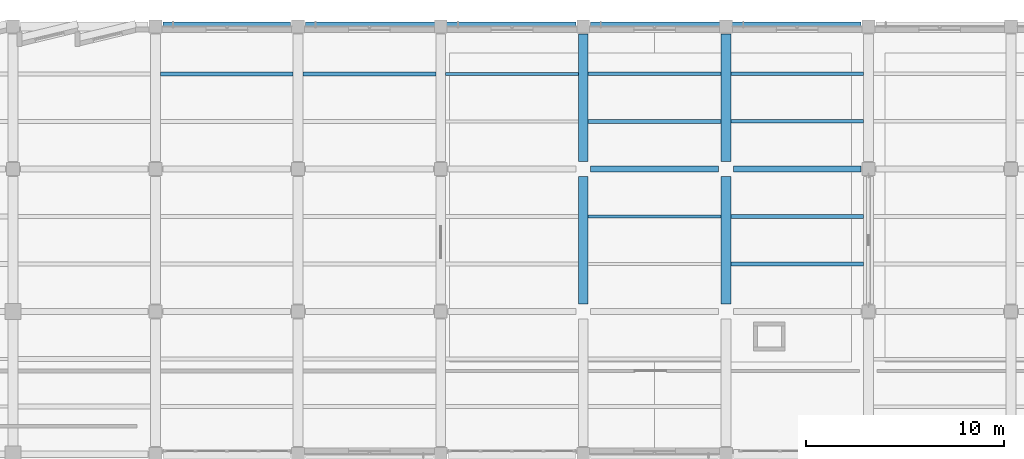
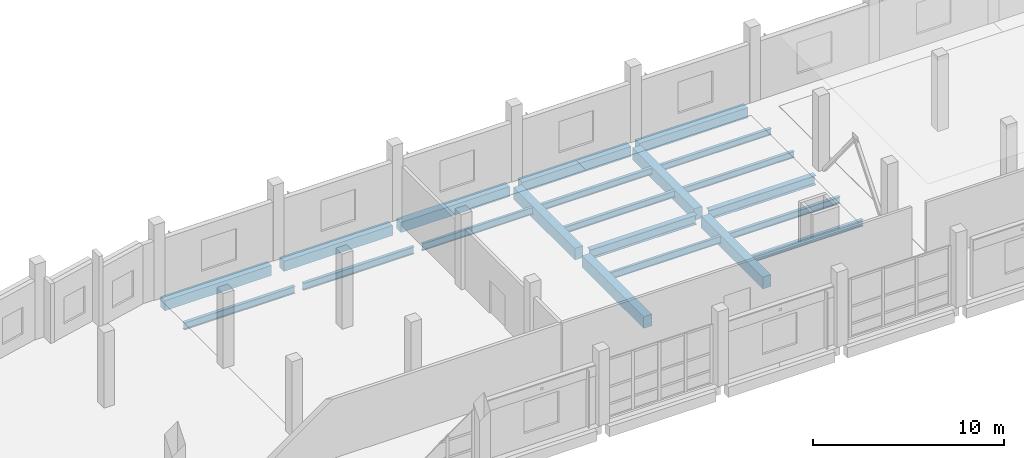
# One storey, part 52 of 127: 21 beams.
"""IFC4 building model written with IfcOpenShell, lengths in metres."""

import ifcopenshell
import ifcopenshell.guid

model = None  # the IFC model being written
_history = None  # IfcOwnerHistory: only IFC2X3 demands one
_inside = {}  # id of a spatial element -> (the spatial element, [elements in it])
_under = {}  # id of a project, library or spatial element -> (it, [spatial elements below it])
_declared = {}  # id of a project -> (the project, [libraries it declares])
_typed = {}  # id of a type object -> (the type object, [elements of that type])
_made_of = {}  # id of a material, layer set ... -> (it, [elements and type objects made of it])


def new_model(schema):
    """Start an empty IFC model of exactly this schema.

    Asked for "IFC4X3", IfcOpenShell would pick the latest addendum, in which some entities
    have other attributes; the version numbers below select the first issue.
    IFC2X3 requires an IfcOwnerHistory on every rooted entity: one is made here for all.
    """
    global model, _history
    if schema == "IFC4X3":
        model = ifcopenshell.file(schema_version=(4, 3, 0, 0))
    else:
        model = ifcopenshell.file(schema=schema)
    _inside.clear()
    _under.clear()
    _declared.clear()
    _typed.clear()
    _made_of.clear()
    _history = None
    if model.schema == "IFC2X3":
        org = make("IfcOrganization", Name="unknown")
        user = make(
            "IfcPersonAndOrganization",
            ThePerson=make("IfcPerson", FamilyName="unknown"),
            TheOrganization=org,
        )
        app = make(
            "IfcApplication",
            ApplicationDeveloper=org,
            Version="unknown",
            ApplicationFullName="unknown",
            ApplicationIdentifier="unknown",
        )
        _history = make(
            "IfcOwnerHistory",
            OwningUser=user,
            OwningApplication=app,
            ChangeAction="ADDED",
            CreationDate=0,
        )
    return model


def make(cls, **values):
    """One entity of the class cls with the attributes given. An attribute that is None is left unset."""
    return model.create_entity(
        cls, **{name: value for name, value in values.items() if value is not None}
    )


def rooted(cls, **values):
    """An entity with a GlobalId (a new one), such as an element, a storey or a relation."""
    return make(cls, GlobalId=ifcopenshell.guid.new(), OwnerHistory=_history, **values)


def si_unit(unit_type, name, prefix=None):
    """IfcSIUnit, for example si_unit("LENGTHUNIT", "METRE", prefix="MILLI")."""
    return make("IfcSIUnit", UnitType=unit_type, Prefix=prefix, Name=name)


def assignment(units):
    """IfcUnitAssignment: the units of a project."""
    return None if units is None else make("IfcUnitAssignment", Units=units)


def point(xyz):
    """IfcCartesianPoint."""
    return None if xyz is None else make("IfcCartesianPoint", Coordinates=xyz)


def direction(xyz):
    """IfcDirection."""
    return None if xyz is None else make("IfcDirection", DirectionRatios=xyz)


def frame(location, z_axis=None, x_axis=None):
    """IfcAxis2Placement3D, a coordinate frame: its origin and axes. An axis left out is left unset."""
    return make(
        "IfcAxis2Placement3D",
        Location=point(location),
        Axis=direction(z_axis),
        RefDirection=direction(x_axis),
    )


def frame_2d(location, x_axis=None):
    """IfcAxis2Placement2D, a coordinate frame in the plane: its origin and x axis."""
    return make(
        "IfcAxis2Placement2D", Location=point(location), RefDirection=direction(x_axis)
    )


def origin():
    """The frame at (0, 0, 0) with its axes left unset."""
    return frame((0.0, 0.0, 0.0))


def origin_2d():
    """The frame at (0, 0) in the plane with its x axis left unset."""
    return frame_2d((0.0, 0.0))


def place(relative_to, where):
    """IfcLocalPlacement: puts the frame where relative to a parent placement (None: the world)."""
    return make(
        "IfcLocalPlacement", PlacementRelTo=relative_to, RelativePlacement=where
    )


def context(
    kind, dimensions, precision=None, world=None, true_north=None, identifier=None
):
    """IfcGeometricRepresentationContext, for example the 3D "Model" context."""
    return make(
        "IfcGeometricRepresentationContext",
        ContextIdentifier=identifier,
        ContextType=kind,
        CoordinateSpaceDimension=dimensions,
        Precision=precision,
        WorldCoordinateSystem=world,
        TrueNorth=true_north,
    )


def subcontext(parent, identifier, kind, view, scale=None):
    """IfcGeometricRepresentationSubContext, for example "Body" below "Model"."""
    return make(
        "IfcGeometricRepresentationSubContext",
        ContextIdentifier=identifier,
        ContextType=kind,
        ParentContext=parent,
        TargetScale=scale,
        TargetView=view,
    )


def project(units=None, contexts=None):
    """IfcProject with its units and contexts."""
    return rooted(
        "IfcProject",
        Name="project",
        RepresentationContexts=contexts,
        UnitsInContext=assignment(units),
    )


def spatial(cls, under=None, at=None, **own):
    """A site, building, storey or space (cls), placed at a placement, below another one or the project."""
    s = rooted(cls, ObjectPlacement=at, **own)
    if under is not None:
        _under.setdefault(under.id(), (under, []))[1].append(s)
    return s


def profile(cls, at=None, kind="AREA", **sizes):
    """A parametric profile (cls). Its sizes go by their IFC names, for example OverallWidth=200.0."""
    return make(cls, ProfileType=kind, Position=at, **sizes)


def rectangle(**sizes):
    """IfcRectangleProfileDef."""
    return profile("IfcRectangleProfileDef", **sizes)


def i_section(**sizes):
    """IfcIShapeProfileDef."""
    return profile("IfcIShapeProfileDef", **sizes)


def extrude(swept, where, along, depth):
    """IfcExtrudedAreaSolid: the profile swept, set in the frame where, extruded along a direction by depth."""
    return make(
        "IfcExtrudedAreaSolid",
        SweptArea=swept,
        Position=where,
        ExtrudedDirection=direction(along),
        Depth=depth,
    )


def shape(context_of_items, identifier, shape_type, items):
    """IfcShapeRepresentation: the items that make up one representation, for example the "Body"."""
    return make(
        "IfcShapeRepresentation",
        ContextOfItems=context_of_items,
        RepresentationIdentifier=identifier,
        RepresentationType=shape_type,
        Items=items,
    )


def material(Name=None, Category=None):
    """IfcMaterial."""
    return make("IfcMaterial", Name=Name, Category=Category)


def material_profile(
    of_material, cross_section, Name=None, Category=None, Priority=None
):
    """IfcMaterialProfile: a cross section and its material."""
    return make(
        "IfcMaterialProfile",
        Name=Name,
        Material=of_material,
        Profile=cross_section,
        Priority=Priority,
        Category=Category,
    )


def profile_set(profiles, Name=None, composite=None):
    """IfcMaterialProfileSet."""
    return make(
        "IfcMaterialProfileSet",
        Name=Name,
        MaterialProfiles=profiles,
        CompositeProfile=composite,
    )


def made_of(thing, what):
    """Note that an element or type object is made of a material, layer set ...; save() writes the relation."""
    if what is not None:
        _made_of.setdefault(what.id(), (what, []))[1].append(thing)
    return thing


def type_object(cls, material=None, **own):
    """A type object (cls), such as IfcWallType, which elements share."""
    return made_of(rooted(cls, **own), material)


def element(
    cls,
    number,
    at=None,
    inside=None,
    cuts=None,
    type_object=None,
    material=None,
    context=None,
    identifier="Body",
    shape_type=None,
    held_by="IfcProductDefinitionShape",
    body=None,
    shapes=None,
    **own,
):
    """One element of the class cls, such as IfcWall. Its Tag is "e" and its number.

    at: its placement. inside: the storey or other place that contains it. cuts: it is an
    opening in that element (IfcRelVoidsElement). A single representation is given by context,
    identifier, shape_type and body (its items); several are given by shapes. held_by: the class
    of the entity that holds the representations. save() writes the other relations.
    """
    e = rooted(cls, Tag="e%d" % number, ObjectPlacement=at, **own)
    if body is not None:
        shapes = [shape(context, identifier, shape_type, body)]
    if shapes is not None:
        e.Representation = make(held_by, Representations=shapes)
    if inside is not None:
        _inside.setdefault(inside.id(), (inside, []))[1].append(e)
    if cuts is not None:
        rooted(
            "IfcRelVoidsElement", RelatingBuildingElement=cuts, RelatedOpeningElement=e
        )
    if type_object is not None:
        _typed.setdefault(type_object.id(), (type_object, []))[1].append(e)
    return made_of(e, material)


def aggregate(whole, parts):
    """IfcRelAggregates: a whole, such as a stair, and the parts it consists of."""
    return rooted("IfcRelAggregates", RelatingObject=whole, RelatedObjects=parts)


def save(model, path):
    """Write the relations noted so far, then the file.

    IfcRelAggregates (storeys below a building ...), IfcRelContainedInSpatialStructure (elements
    in a storey), IfcRelDefinesByType, IfcRelAssociatesMaterial and IfcRelDeclares: one each for
    every whole, place, type object, material and project.
    """
    for whole, parts in _under.values():
        aggregate(whole, parts)
    for where, things in _inside.values():
        rooted(
            "IfcRelContainedInSpatialStructure",
            RelatedElements=things,
            RelatingStructure=where,
        )
    for kind, things in _typed.values():
        rooted("IfcRelDefinesByType", RelatedObjects=things, RelatingType=kind)
    for what, things in _made_of.values():
        rooted("IfcRelAssociatesMaterial", RelatedObjects=things, RelatingMaterial=what)
    for by, libraries in _declared.values():
        rooted("IfcRelDeclares", RelatingContext=by, RelatedDefinitions=libraries)
    model.write(path)


model = new_model("IFC4")

# Units and contexts
model_context = context("Model", 3, precision=1e-05, world=origin(), true_north=direction((0.0, 1.0)))
body_context = subcontext(model_context, "Body", "Model", "MODEL_VIEW")
ifc_project = project(units=[si_unit("LENGTHUNIT", "METRE"), si_unit("AREAUNIT", "SQUARE_METRE"), si_unit("VOLUMEUNIT", "CUBIC_METRE"), si_unit("PLANEANGLEUNIT", "RADIAN"), si_unit("MASSUNIT", "GRAM", prefix="KILO")], contexts=[model_context])

# Site, building, storey
site_placement = place(None, origin())
site = spatial("IfcSite", under=ifc_project, at=site_placement, CompositionType="ELEMENT")
building_placement = place(site_placement, origin())
building = spatial("IfcBuilding", under=site, at=building_placement, Name="Kalmorath City Hall", CompositionType="ELEMENT")
storey_placement = place(building_placement, frame((0.0, 0.0, 5.39990234375)))
storey = spatial("IfcBuildingStorey", under=building, at=storey_placement, Name="L01", CompositionType="ELEMENT", Elevation=5.39990234375)

# Beams
ifc_material_1 = material(Name="Concrete C40/50", Category="concrete")
ifc_material_profile_1 = material_profile(ifc_material_1, rectangle(XDim=0.5, YDim=0.75, at=origin_2d()), Name="RC-BM-500X750")
ifc_profile_set_1 = profile_set([ifc_material_profile_1], Name="Concrete C40/50")
beam_type_1 = type_object("IfcBeamType", Name="Concrete floor beam 500x750", PredefinedType="BEAM", material=ifc_profile_set_1)
for number, where, z_axis, x_axis, name in (
    (1, (50.39990234375, 101.175048828125, -0.698974609375), (0.0, 1.0, 0.0), (-1.0, 0.0, 0.0), "L01 girder CB3 Y8/15-16"),
    (2, (50.39990234375, 108.375, -0.698974609375), (0.0, 1.0, 0.0), (-1.0, 0.0, 0.0), "L01 girder CB3 Y8/16-17"),
    (3, (57.60009765625, 101.175048828125, -0.698974609375), (0.0, 1.0, 0.0), (-1.0, 0.0, 0.0), "L01 girder CB3 Y9/15-16"),
    (4, (57.60009765625, 108.375, -0.698974609375), (0.0, 1.0, 0.0), (-1.0, 0.0, 0.0), "L01 girder CB3 Y9/16-17"),
):
    element("IfcBeam", number, at=place(storey_placement, frame(where, z_axis=z_axis, x_axis=x_axis)), inside=storey, type_object=beam_type_1, Name=name, PredefinedType="BEAM", context=body_context, shape_type="SweptSolid", body=[
        extrude(rectangle(XDim=0.5, YDim=0.75, at=origin_2d()), origin(), (0.0, 0.0, 1.0), 6.449951171875),
    ])
ifc_material_2 = material(Name="Concrete C40/50", Category="concrete")
ifc_material_profile_2 = material_profile(ifc_material_2, rectangle(XDim=0.449951171875, YDim=0.64990234375, at=origin_2d()), Name="RC-BM-450X650")
ifc_profile_set_2 = profile_set([ifc_material_profile_2], Name="Concrete C40/50")
beam_type_2 = type_object("IfcBeamType", Name="Concrete spandrel beam 450x650", PredefinedType="SPANDREL", material=ifc_profile_set_2)
beam_1_placement = place(storey_placement, frame((29.175048828125, 115.199951171875, -0.64892578125), z_axis=(1.0, 0.0, 0.0), x_axis=(0.0, 1.0, 0.0)))
element("IfcBeam", 5, at=beam_1_placement, inside=storey, type_object=beam_type_2, Name="L01 girder CB5 X5-6/17", PredefinedType="SPANDREL", context=body_context, shape_type="SweptSolid", body=[
    extrude(rectangle(XDim=0.449951171875, YDim=0.64990234375, at=origin_2d()), origin(), (0.0, 0.0, 1.0), 6.449951171875),
])
for number, where, z_axis, x_axis, name in (
    (6, (36.375, 115.199951171875, -0.64892578125), (1.0, 0.0, 0.0), (0.0, 1.0, 0.0), "L01 girder CB5 X6-7/17"),
    (7, (43.449951171875, 115.199951171875, -0.64892578125), (1.0, 0.0, 0.0), (0.0, 1.0, 0.0), "L01 girder CB5 X7-8/17"),
):
    element("IfcBeam", number, at=place(storey_placement, frame(where, z_axis=z_axis, x_axis=x_axis)), inside=storey, type_object=beam_type_2, Name=name, PredefinedType="SPANDREL", context=body_context, shape_type="SweptSolid", body=[
        extrude(rectangle(XDim=0.449951171875, YDim=0.64990234375, at=origin_2d()), origin(), (0.0, 0.0, 1.0), 6.574951171875),
    ])
beam_2_placement = place(storey_placement, frame((50.77490234375, 115.199951171875, -0.64892578125), z_axis=(1.0, 0.0, 0.0), x_axis=(0.0, 1.0, 0.0)))
element("IfcBeam", 8, at=beam_2_placement, inside=storey, type_object=beam_type_2, Name="L01 girder CB5 X8-9/17", PredefinedType="SPANDREL", context=body_context, shape_type="SweptSolid", body=[
    extrude(rectangle(XDim=0.449951171875, YDim=0.64990234375, at=origin_2d()), origin(), (0.0, 0.0, 1.0), 6.5751953125),
])
beam_3_placement = place(storey_placement, frame((57.85009765625, 115.199951171875, -0.64892578125), z_axis=(1.0, 0.0, 0.0), x_axis=(0.0, 1.0, 0.0)))
element("IfcBeam", 9, at=beam_3_placement, inside=storey, type_object=beam_type_2, Name="L01 girder CB5 X9-10/17", PredefinedType="SPANDREL", context=body_context, shape_type="SweptSolid", body=[
    extrude(rectangle(XDim=0.449951171875, YDim=0.64990234375, at=origin_2d()), origin(), (0.0, 0.0, 1.0), 6.574951171875),
])
ifc_material_3 = material(Name="Steel ASTM A992 Grade 50", Category="steel")
ifc_material_profile_3 = material_profile(ifc_material_3, i_section(OverallWidth=0.178955078125, OverallDepth=0.409912109375, WebThickness=0.0087890625, FlangeThickness=0.014404296875, FilletRadius=0.012939453125, at=origin_2d()), Name="W16X45")
ifc_profile_set_3 = profile_set([ifc_material_profile_3], Name="Steel ASTM A992 Grade 50")
beam_type_3 = type_object("IfcBeamType", Name="Steel composite joist W16X45", PredefinedType="JOIST", material=ifc_profile_set_3)
for number, where, z_axis, x_axis, name in (
    (10, (57.85009765625, 110.39990234375, -0.52880859375), (1.0, 0.0, 0.0), (0.0, 1.0, 0.0), "L01 joist SJ6 9.16.1"),
    (11, (57.85009765625, 112.800048828125, -0.52880859375), (1.0, 0.0, 0.0), (0.0, 1.0, 0.0), "L01 joist SJ6 9.16.2"),
):
    element("IfcBeam", number, at=place(storey_placement, frame(where, z_axis=z_axis, x_axis=x_axis)), inside=storey, type_object=beam_type_3, Name=name, PredefinedType="JOIST", context=body_context, shape_type="SweptSolid", body=[
        extrude(i_section(OverallWidth=0.178955078125, OverallDepth=0.409912109375, WebThickness=0.0087890625, FlangeThickness=0.014404296875, FilletRadius=0.012939453125, at=origin_2d()), origin(), (0.0, 0.0, 1.0), 6.699951171875),
    ])
ifc_material_4 = material(Name="Steel ASTM A992 Grade 50", Category="steel")
ifc_material_profile_4 = material_profile(ifc_material_4, i_section(OverallWidth=0.180908203125, OverallDepth=0.4169921875, WebThickness=0.010986328125, FlangeThickness=0.018310546875, FilletRadius=0.012939453125, at=origin_2d()), Name="W16X57")
ifc_profile_set_4 = profile_set([ifc_material_profile_4], Name="Steel ASTM A992 Grade 50")
beam_type_4 = type_object("IfcBeamType", Name="Steel composite joist W16X57", PredefinedType="JOIST", material=ifc_profile_set_4)
for number, where, z_axis, x_axis, name in (
    (12, (50.64990234375, 110.39990234375, -0.532470703125), (1.0, 0.0, 0.0), (0.0, 1.0, 0.0), "L01 joist SJ5 8.16.1"),
    (13, (50.64990234375, 112.800048828125, -0.532470703125), (1.0, 0.0, 0.0), (0.0, 1.0, 0.0), "L01 joist SJ5 8.16.2"),
):
    element("IfcBeam", number, at=place(storey_placement, frame(where, z_axis=z_axis, x_axis=x_axis)), inside=storey, type_object=beam_type_4, Name=name, PredefinedType="JOIST", context=body_context, shape_type="SweptSolid", body=[
        extrude(i_section(OverallWidth=0.180908203125, OverallDepth=0.4169921875, WebThickness=0.010986328125, FlangeThickness=0.018310546875, FilletRadius=0.012939453125, at=origin_2d()), origin(), (0.0, 0.0, 1.0), 6.7001953125),
    ])
for number, where, z_axis, x_axis, name in (
    (14, (57.85009765625, 103.199951171875, -0.532470703125), (1.0, 0.0, 0.0), (0.0, 1.0, 0.0), "L01 joist SJ5 9.15.1"),
    (15, (57.85009765625, 105.60009765625, -0.532470703125), (1.0, 0.0, 0.0), (0.0, 1.0, 0.0), "L01 joist SJ5 9.15.2"),
):
    element("IfcBeam", number, at=place(storey_placement, frame(where, z_axis=z_axis, x_axis=x_axis)), inside=storey, type_object=beam_type_4, Name=name, PredefinedType="JOIST", context=body_context, shape_type="SweptSolid", body=[
        extrude(i_section(OverallWidth=0.180908203125, OverallDepth=0.4169921875, WebThickness=0.010986328125, FlangeThickness=0.018310546875, FilletRadius=0.012939453125, at=origin_2d()), origin(), (0.0, 0.0, 1.0), 6.699951171875),
    ])
ifc_material_5 = material(Name="Steel ASTM A992 Grade 50", Category="steel")
ifc_material_profile_5 = material_profile(ifc_material_5, i_section(OverallWidth=0.153076171875, OverallDepth=0.455078125, WebThickness=0.008056640625, FlangeThickness=0.01318359375, FilletRadius=0.013916015625, at=origin_2d()), Name="W18X40")
ifc_profile_set_5 = profile_set([ifc_material_profile_5], Name="Steel ASTM A992 Grade 50")
beam_type_5 = type_object("IfcBeamType", Name="Steel composite joist W18X40", PredefinedType="JOIST", material=ifc_profile_set_5)
beam_4_placement = place(storey_placement, frame((43.449951171875, 112.800048828125, -0.551513671875), z_axis=(1.0, 0.0, 0.0), x_axis=(0.0, 1.0, 0.0)))
element("IfcBeam", 16, at=beam_4_placement, inside=storey, type_object=beam_type_5, Name="L01 joist SJ4 7.16.2", PredefinedType="JOIST", context=body_context, shape_type="SweptSolid", body=[
    extrude(i_section(OverallWidth=0.153076171875, OverallDepth=0.455078125, WebThickness=0.008056640625, FlangeThickness=0.01318359375, FilletRadius=0.013916015625, at=origin_2d()), origin(), (0.0, 0.0, 1.0), 6.699951171875),
])
beam_5_placement = place(storey_placement, frame((50.64990234375, 105.60009765625, -0.551513671875), z_axis=(1.0, 0.0, 0.0), x_axis=(0.0, 1.0, 0.0)))
element("IfcBeam", 17, at=beam_5_placement, inside=storey, type_object=beam_type_5, Name="L01 joist SJ4 8.15.2", PredefinedType="JOIST", context=body_context, shape_type="SweptSolid", body=[
    extrude(i_section(OverallWidth=0.153076171875, OverallDepth=0.455078125, WebThickness=0.008056640625, FlangeThickness=0.01318359375, FilletRadius=0.013916015625, at=origin_2d()), origin(), (0.0, 0.0, 1.0), 6.7001953125),
])
ifc_material_6 = material(Name="Steel ASTM A992 Grade 50", Category="steel")
ifc_material_profile_6 = material_profile(ifc_material_6, i_section(OverallWidth=0.19091796875, OverallDepth=0.45703125, WebThickness=0.009033203125, FlangeThickness=0.014404296875, FilletRadius=0.013916015625, at=origin_2d()), Name="W18X50")
ifc_profile_set_6 = profile_set([ifc_material_profile_6], Name="Steel ASTM A992 Grade 50")
beam_type_6 = type_object("IfcBeamType", Name="Steel composite joist W18X50", PredefinedType="JOIST", material=ifc_profile_set_6)
beam_6_placement = place(storey_placement, frame((36.25, 112.800048828125, -0.552490234375), z_axis=(1.0, 0.0, 0.0), x_axis=(0.0, 1.0, 0.0)))
element("IfcBeam", 18, at=beam_6_placement, inside=storey, type_object=beam_type_6, Name="L01 joist SJ3 6.16.2", PredefinedType="JOIST", context=body_context, shape_type="SweptSolid", body=[
    extrude(i_section(OverallWidth=0.19091796875, OverallDepth=0.45703125, WebThickness=0.009033203125, FlangeThickness=0.014404296875, FilletRadius=0.013916015625, at=origin_2d()), origin(), (0.0, 0.0, 1.0), 6.699951171875),
])
ifc_material_7 = material(Name="Steel ASTM A992 Grade 50", Category="steel")
ifc_material_profile_7 = material_profile(ifc_material_7, i_section(OverallWidth=0.19091796875, OverallDepth=0.4599609375, WebThickness=0.010009765625, FlangeThickness=0.01611328125, FilletRadius=0.013916015625, at=origin_2d()), Name="W18X55")
ifc_profile_set_7 = profile_set([ifc_material_profile_7], Name="Steel ASTM A992 Grade 50")
beam_type_7 = type_object("IfcBeamType", Name="Steel composite joist W18X55", PredefinedType="JOIST", material=ifc_profile_set_7)
beam_7_placement = place(storey_placement, frame((29.050048828125, 112.800048828125, -0.553955078125), z_axis=(1.0, 0.0, 0.0), x_axis=(0.0, 1.0, 0.0)))
element("IfcBeam", 19, at=beam_7_placement, inside=storey, type_object=beam_type_7, Name="L01 joist SJ2 5.16.2", PredefinedType="JOIST", context=body_context, shape_type="SweptSolid", body=[
    extrude(i_section(OverallWidth=0.19091796875, OverallDepth=0.4599609375, WebThickness=0.010009765625, FlangeThickness=0.01611328125, FilletRadius=0.013916015625, at=origin_2d()), origin(), (0.0, 0.0, 1.0), 6.699951171875),
])
ifc_material_8 = material(Name="Steel ASTM A992 Grade 50", Category="steel")
ifc_material_profile_8 = material_profile(ifc_material_8, i_section(OverallWidth=0.323974609375, OverallDepth=0.611083984375, WebThickness=0.0126953125, FlangeThickness=0.01904296875, FilletRadius=0.01611328125, at=origin_2d()), Name="W24X104")
ifc_profile_set_8 = profile_set([ifc_material_profile_8], Name="Steel ASTM A992 Grade 50")
beam_type_8 = type_object("IfcBeamType", Name="Steel floor girder W24X104", PredefinedType="BEAM", material=ifc_profile_set_8)
beam_8_placement = place(storey_placement, frame((50.77490234375, 108.0, -0.62939453125), z_axis=(1.0, 0.0, 0.0), x_axis=(0.0, 1.0, 0.0)))
element("IfcBeam", 20, at=beam_8_placement, inside=storey, type_object=beam_type_8, Name="L01 girder SG7 X8-9/16", PredefinedType="BEAM", context=body_context, shape_type="SweptSolid", body=[
    extrude(i_section(OverallWidth=0.323974609375, OverallDepth=0.611083984375, WebThickness=0.0126953125, FlangeThickness=0.01904296875, FilletRadius=0.01611328125, at=origin_2d()), origin(), (0.0, 0.0, 1.0), 6.4501953125),
])
beam_9_placement = place(storey_placement, frame((57.97509765625, 108.0, -0.62939453125), z_axis=(1.0, 0.0, 0.0), x_axis=(0.0, 1.0, 0.0)))
element("IfcBeam", 21, at=beam_9_placement, inside=storey, type_object=beam_type_8, Name="L01 girder SG7 X9-10/16", PredefinedType="BEAM", context=body_context, shape_type="SweptSolid", body=[
    extrude(i_section(OverallWidth=0.323974609375, OverallDepth=0.611083984375, WebThickness=0.0126953125, FlangeThickness=0.01904296875, FilletRadius=0.01611328125, at=origin_2d()), origin(), (0.0, 0.0, 1.0), 6.449951171875),
])

save(model, "model.ifc")
